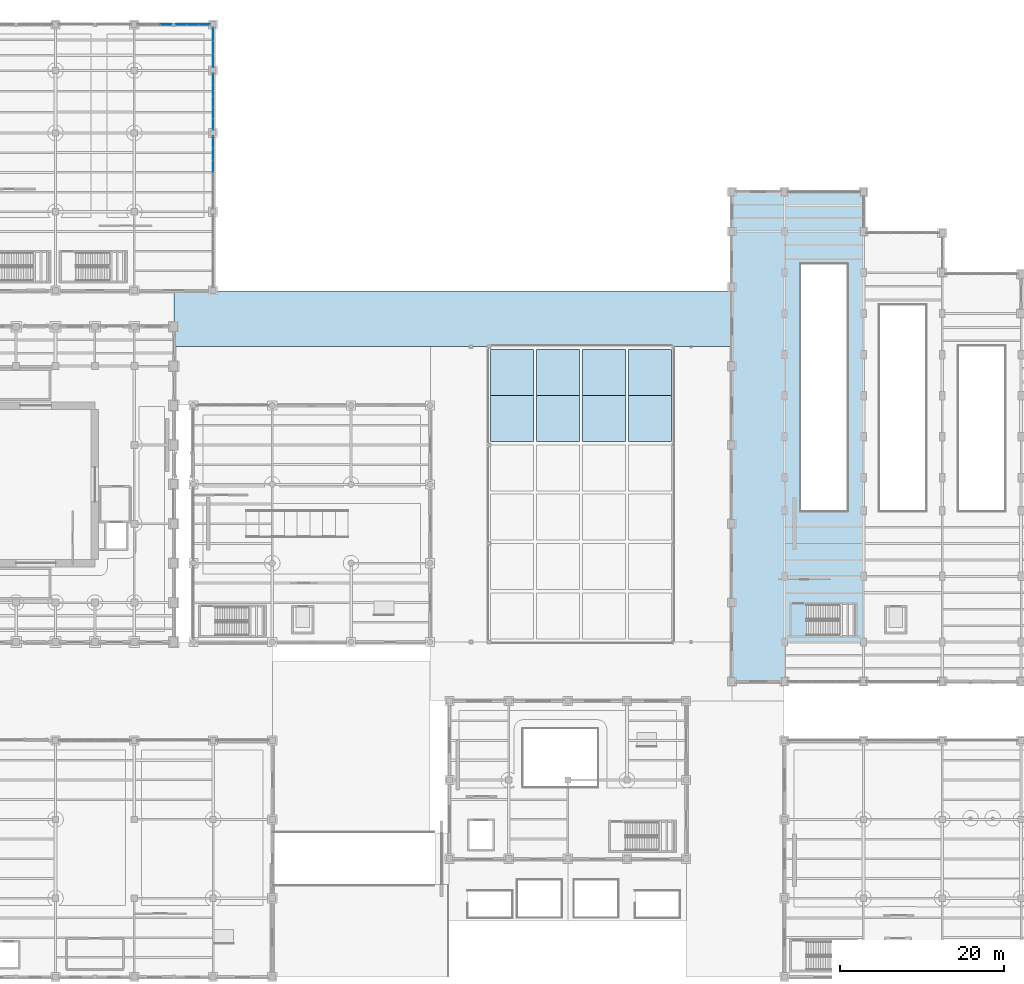
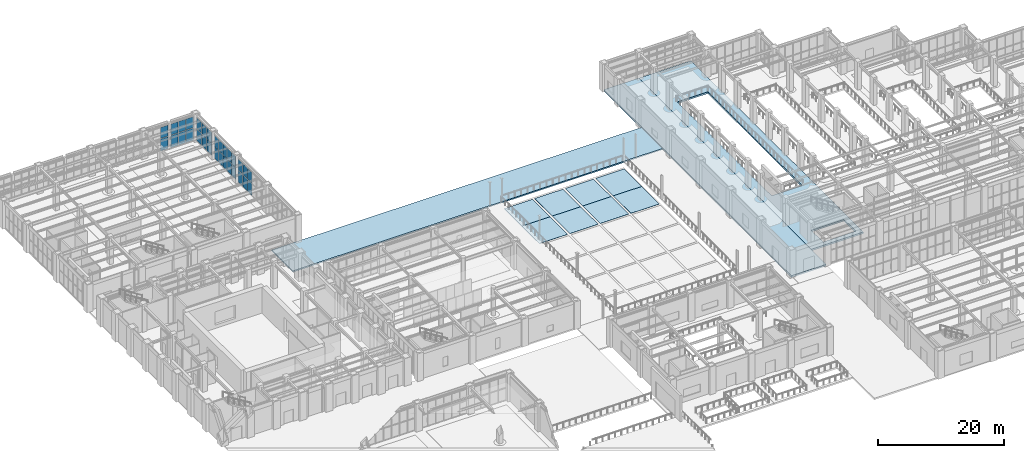
# One storey, part 121 of 164: 38 plates, 3 slabs, 5 elements without a shape of their own.
"""IFC4 building model written with IfcOpenShell, lengths in metres."""

from ifc_helpers import new_model, si_unit, direction, frame, origin, origin_2d, place, context, subcontext, project, spatial, polyline, rectangle, outline, extrude, material, layer, layer_set, type_object, element, aggregate, save


model = new_model("IFC4")

# Units and contexts
model_context = context("Model", 3, precision=1e-05, world=origin(), true_north=direction((0.0, 1.0)))
body_context = subcontext(model_context, "Body", "Model", "MODEL_VIEW")
ifc_project = project(units=[si_unit("LENGTHUNIT", "METRE"), si_unit("AREAUNIT", "SQUARE_METRE"), si_unit("VOLUMEUNIT", "CUBIC_METRE"), si_unit("PLANEANGLEUNIT", "RADIAN"), si_unit("MASSUNIT", "GRAM", prefix="KILO")], contexts=[model_context])

# Site, building, storey
site_placement = place(None, origin())
site = spatial("IfcSite", under=ifc_project, at=site_placement, CompositionType="ELEMENT")
building_placement = place(site_placement, origin())
building = spatial("IfcBuilding", under=site, at=building_placement, Name="Mavantir Sound Aquarium", CompositionType="ELEMENT")
storey_placement = place(building_placement, origin())
storey = spatial("IfcBuildingStorey", under=building, at=storey_placement, Name="L00", CompositionType="ELEMENT", Elevation=0.0)

# Curtain wall, plates
ifc_material_1 = material(Name="Anodised Marine Aluminium and Low-E Glass", Category="aluminium")
curtain_wall_type_1 = type_object("IfcCurtainWallType", Name="CW-T09", PredefinedType="USERDEFINED", material=ifc_material_1)
curtain_wall_1_placement = place(storey_placement, origin())
curtain_wall_1 = element("IfcCurtainWall", 1, at=curtain_wall_1_placement, inside=storey, type_object=curtain_wall_type_1, Name="L00 unitised curtain wall CW-09 33", ObjectType="UNITISED GLAZING", PredefinedType="USERDEFINED")
ifc_material_2 = material(Name="Solar-Control Laminated Low-E Glass", Category="glass")
ifc_layer_1 = layer(ifc_material_2, 0.028076171875, Name="Solar-Control Laminated Low-E Glass")
ifc_layer_set_1 = layer_set([ifc_layer_1], Name="Solar-Control Laminated Low-E Glass")
plate_type_1 = type_object("IfcPlateType", Name="CW-PNL-28", PredefinedType="CURTAIN_PANEL", material=ifc_layer_set_1)
plate_1_placement = place(storey_placement, frame((38.39990234375, 103.866455078125, 0.10302734375), z_axis=(0.0, 0.0, 1.0), x_axis=(0.0, 1.0, 0.0)))
plate_1 = element("IfcPlate", 2, at=plate_1_placement, type_object=plate_type_1, Name="CW-L00-033 glazed curtain panel 1.1", PredefinedType="CURTAIN_PANEL", context=body_context, shape_type="SweptSolid", body=[
    extrude(rectangle(XDim=1.31884765625, YDim=0.028076171875, at=origin_2d()), origin(), (0.0, 0.0, 1.0), 2.2666015625),
])
plate_2_placement = place(storey_placement, frame((38.39990234375, 103.866455078125, 2.46533203125), z_axis=(0.0, 0.0, 1.0), x_axis=(0.0, 1.0, 0.0)))
plate_2 = element("IfcPlate", 3, at=plate_2_placement, type_object=plate_type_1, Name="CW-L00-033 glazed curtain panel 1.2", PredefinedType="CURTAIN_PANEL", context=body_context, shape_type="SweptSolid", body=[
    extrude(rectangle(XDim=1.31884765625, YDim=0.028076171875, at=origin_2d()), origin(), (0.0, 0.0, 1.0), 2.08056640625),
])
plate_3_placement = place(storey_placement, frame((38.39990234375, 105.233154296875, 0.10302734375), z_axis=(0.0, 0.0, 1.0), x_axis=(0.0, 1.0, 0.0)))
plate_3 = element("IfcPlate", 4, at=plate_3_placement, type_object=plate_type_1, Name="CW-L00-033 glazed curtain panel 2.1", PredefinedType="CURTAIN_PANEL", context=body_context, shape_type="SweptSolid", body=[
    extrude(rectangle(XDim=1.31884765625, YDim=0.028076171875, at=origin_2d()), origin(), (0.0, 0.0, 1.0), 2.2666015625),
])
plate_4_placement = place(storey_placement, frame((38.39990234375, 105.233154296875, 2.46533203125), z_axis=(0.0, 0.0, 1.0), x_axis=(0.0, 1.0, 0.0)))
plate_4 = element("IfcPlate", 5, at=plate_4_placement, type_object=plate_type_1, Name="CW-L00-033 glazed curtain panel 2.2", PredefinedType="CURTAIN_PANEL", context=body_context, shape_type="SweptSolid", body=[
    extrude(rectangle(XDim=1.31884765625, YDim=0.028076171875, at=origin_2d()), origin(), (0.0, 0.0, 1.0), 2.08056640625),
])
plate_5_placement = place(storey_placement, frame((38.39990234375, 106.60009765625, 0.10302734375), z_axis=(0.0, 0.0, 1.0), x_axis=(0.0, 1.0, 0.0)))
plate_5 = element("IfcPlate", 6, at=plate_5_placement, type_object=plate_type_1, Name="CW-L00-033 glazed curtain panel 3.1", PredefinedType="CURTAIN_PANEL", context=body_context, shape_type="SweptSolid", body=[
    extrude(rectangle(XDim=1.31884765625, YDim=0.028076171875, at=origin_2d()), origin(), (0.0, 0.0, 1.0), 2.2666015625),
])
plate_6_placement = place(storey_placement, frame((38.39990234375, 106.60009765625, 2.46533203125), z_axis=(0.0, 0.0, 1.0), x_axis=(0.0, 1.0, 0.0)))
plate_6 = element("IfcPlate", 7, at=plate_6_placement, type_object=plate_type_1, Name="CW-L00-033 glazed curtain panel 3.2", PredefinedType="CURTAIN_PANEL", context=body_context, shape_type="SweptSolid", body=[
    extrude(rectangle(XDim=1.31884765625, YDim=0.028076171875, at=origin_2d()), origin(), (0.0, 0.0, 1.0), 2.08056640625),
])
plate_7_placement = place(storey_placement, frame((38.39990234375, 107.966796875, 0.10302734375), z_axis=(0.0, 0.0, 1.0), x_axis=(0.0, 1.0, 0.0)))
plate_7 = element("IfcPlate", 8, at=plate_7_placement, type_object=plate_type_1, Name="CW-L00-033 glazed curtain panel 4.1", PredefinedType="CURTAIN_PANEL", context=body_context, shape_type="SweptSolid", body=[
    extrude(rectangle(XDim=1.31884765625, YDim=0.028076171875, at=origin_2d()), origin(), (0.0, 0.0, 1.0), 2.2666015625),
])
plate_8_placement = place(storey_placement, frame((38.39990234375, 107.966796875, 2.46533203125), z_axis=(0.0, 0.0, 1.0), x_axis=(0.0, 1.0, 0.0)))
plate_8 = element("IfcPlate", 9, at=plate_8_placement, type_object=plate_type_1, Name="CW-L00-033 glazed curtain panel 4.2", PredefinedType="CURTAIN_PANEL", context=body_context, shape_type="SweptSolid", body=[
    extrude(rectangle(XDim=1.31884765625, YDim=0.028076171875, at=origin_2d()), origin(), (0.0, 0.0, 1.0), 2.08056640625),
])
plate_9_placement = place(storey_placement, frame((38.39990234375, 109.33349609375, 0.10302734375), z_axis=(0.0, 0.0, 1.0), x_axis=(0.0, 1.0, 0.0)))
plate_9 = element("IfcPlate", 10, at=plate_9_placement, type_object=plate_type_1, Name="CW-L00-033 glazed curtain panel 5.1", PredefinedType="CURTAIN_PANEL", context=body_context, shape_type="SweptSolid", body=[
    extrude(rectangle(XDim=1.31884765625, YDim=0.028076171875, at=origin_2d()), origin(), (0.0, 0.0, 1.0), 2.2666015625),
])
plate_10_placement = place(storey_placement, frame((38.39990234375, 109.33349609375, 2.46533203125), z_axis=(0.0, 0.0, 1.0), x_axis=(0.0, 1.0, 0.0)))
plate_10 = element("IfcPlate", 11, at=plate_10_placement, type_object=plate_type_1, Name="CW-L00-033 glazed curtain panel 5.2", PredefinedType="CURTAIN_PANEL", context=body_context, shape_type="SweptSolid", body=[
    extrude(rectangle(XDim=1.31884765625, YDim=0.028076171875, at=origin_2d()), origin(), (0.0, 0.0, 1.0), 2.08056640625),
])
aggregate(curtain_wall_1, [plate_1, plate_2, plate_3, plate_4, plate_5, plate_6, plate_7, plate_8, plate_9, plate_10])

curtain_wall_type_2 = type_object("IfcCurtainWallType", Name="CW-T11", PredefinedType="USERDEFINED", material=ifc_material_1)
curtain_wall_2_placement = place(storey_placement, origin())
curtain_wall_2 = element("IfcCurtainWall", 12, at=curtain_wall_2_placement, inside=storey, type_object=curtain_wall_type_2, Name="L00 unitised curtain wall CW-11 35", ObjectType="UNITISED GLAZING", PredefinedType="USERDEFINED")
plate_11_placement = place(storey_placement, frame((37.319580078125, 116.0, 0.10302734375), z_axis=(0.0, 0.0, 1.0), x_axis=(-1.0, 0.0, 0.0)))
plate_11 = element("IfcPlate", 13, at=plate_11_placement, type_object=plate_type_1, Name="CW-L00-035 glazed curtain panel 1.1", PredefinedType="CURTAIN_PANEL", context=body_context, shape_type="SweptSolid", body=[
    extrude(rectangle(XDim=1.3466796875, YDim=0.028076171875, at=origin_2d()), origin(), (0.0, 0.0, 1.0), 2.3232421875),
])
plate_12_placement = place(storey_placement, frame((37.319580078125, 116.0, 2.522216796875), z_axis=(0.0, 0.0, 1.0), x_axis=(-1.0, 0.0, 0.0)))
plate_12 = element("IfcPlate", 14, at=plate_12_placement, type_object=plate_type_1, Name="CW-L00-035 glazed curtain panel 1.2", PredefinedType="CURTAIN_PANEL", context=body_context, shape_type="SweptSolid", body=[
    extrude(rectangle(XDim=1.3466796875, YDim=0.028076171875, at=origin_2d()), origin(), (0.0, 0.0, 1.0), 2.1328125),
])
plate_13_placement = place(storey_placement, frame((35.925048828125, 116.0, 0.10302734375), z_axis=(0.0, 0.0, 1.0), x_axis=(-1.0, 0.0, 0.0)))
plate_13 = element("IfcPlate", 15, at=plate_13_placement, type_object=plate_type_1, Name="CW-L00-035 glazed curtain panel 2.1", PredefinedType="CURTAIN_PANEL", context=body_context, shape_type="SweptSolid", body=[
    extrude(rectangle(XDim=1.3466796875, YDim=0.028076171875, at=origin_2d()), origin(), (0.0, 0.0, 1.0), 2.3232421875),
])
plate_14_placement = place(storey_placement, frame((35.925048828125, 116.0, 2.522216796875), z_axis=(0.0, 0.0, 1.0), x_axis=(-1.0, 0.0, 0.0)))
plate_14 = element("IfcPlate", 16, at=plate_14_placement, type_object=plate_type_1, Name="CW-L00-035 glazed curtain panel 2.2", PredefinedType="CURTAIN_PANEL", context=body_context, shape_type="SweptSolid", body=[
    extrude(rectangle(XDim=1.3466796875, YDim=0.028076171875, at=origin_2d()), origin(), (0.0, 0.0, 1.0), 2.1328125),
])
plate_15_placement = place(storey_placement, frame((34.5302734375, 116.0, 0.10302734375), z_axis=(0.0, 0.0, 1.0), x_axis=(-1.0, 0.0, 0.0)))
plate_15 = element("IfcPlate", 17, at=plate_15_placement, type_object=plate_type_1, Name="CW-L00-035 glazed curtain panel 3.1", PredefinedType="CURTAIN_PANEL", context=body_context, shape_type="SweptSolid", body=[
    extrude(rectangle(XDim=1.3466796875, YDim=0.028076171875, at=origin_2d()), origin(), (0.0, 0.0, 1.0), 2.3232421875),
])
plate_16_placement = place(storey_placement, frame((34.5302734375, 116.0, 2.522216796875), z_axis=(0.0, 0.0, 1.0), x_axis=(-1.0, 0.0, 0.0)))
plate_16 = element("IfcPlate", 18, at=plate_16_placement, type_object=plate_type_1, Name="CW-L00-035 glazed curtain panel 3.2", PredefinedType="CURTAIN_PANEL", context=body_context, shape_type="SweptSolid", body=[
    extrude(rectangle(XDim=1.3466796875, YDim=0.028076171875, at=origin_2d()), origin(), (0.0, 0.0, 1.0), 2.1328125),
])
aggregate(curtain_wall_2, [plate_11, plate_12, plate_13, plate_14, plate_15, plate_16])

curtain_wall_type_3 = type_object("IfcCurtainWallType", Name="CW-T08", PredefinedType="USERDEFINED", material=ifc_material_1)
curtain_wall_3_placement = place(storey_placement, origin())
curtain_wall_3 = element("IfcCurtainWall", 19, at=curtain_wall_3_placement, inside=storey, type_object=curtain_wall_type_3, Name="L00 unitised curtain wall CW-08 32", ObjectType="UNITISED GLAZING", PredefinedType="USERDEFINED")
ifc_layer_2 = layer(ifc_material_2, 0.031982421875, Name="Solar-Control Laminated Low-E Glass")
ifc_layer_set_2 = layer_set([ifc_layer_2], Name="Solar-Control Laminated Low-E Glass")
plate_type_2 = type_object("IfcPlateType", Name="CW-PNL-32", PredefinedType="CURTAIN_PANEL", material=ifc_layer_set_2)
plate_17_placement = place(storey_placement, frame((38.39990234375, 98.736083984375, 0.10302734375), z_axis=(0.0, 0.0, 1.0), x_axis=(0.0, 1.0, 0.0)))
plate_17 = element("IfcPlate", 20, at=plate_17_placement, type_object=plate_type_2, Name="CW-L00-032 glazed curtain panel 4.1", PredefinedType="CURTAIN_PANEL", context=body_context, shape_type="SweptSolid", body=[
    extrude(rectangle(XDim=1.42431640625, YDim=0.031982421875, at=origin_2d()), origin(), (0.0, 0.0, 1.0), 2.2666015625),
])
plate_18_placement = place(storey_placement, frame((38.39990234375, 98.736083984375, 2.46533203125), z_axis=(0.0, 0.0, 1.0), x_axis=(0.0, 1.0, 0.0)))
plate_18 = element("IfcPlate", 21, at=plate_18_placement, type_object=plate_type_2, Name="CW-L00-032 glazed curtain panel 4.2", PredefinedType="CURTAIN_PANEL", context=body_context, shape_type="SweptSolid", body=[
    extrude(rectangle(XDim=1.42431640625, YDim=0.031982421875, at=origin_2d()), origin(), (0.0, 0.0, 1.0), 2.08056640625),
])
plate_19_placement = place(storey_placement, frame((38.39990234375, 100.20849609375, 0.10302734375), z_axis=(0.0, 0.0, 1.0), x_axis=(0.0, 1.0, 0.0)))
plate_19 = element("IfcPlate", 22, at=plate_19_placement, type_object=plate_type_2, Name="CW-L00-032 glazed curtain panel 5.1", PredefinedType="CURTAIN_PANEL", context=body_context, shape_type="SweptSolid", body=[
    extrude(rectangle(XDim=1.42431640625, YDim=0.031982421875, at=origin_2d()), origin(), (0.0, 0.0, 1.0), 2.2666015625),
])
plate_20_placement = place(storey_placement, frame((38.39990234375, 100.20849609375, 2.46533203125), z_axis=(0.0, 0.0, 1.0), x_axis=(0.0, 1.0, 0.0)))
plate_20 = element("IfcPlate", 23, at=plate_20_placement, type_object=plate_type_2, Name="CW-L00-032 glazed curtain panel 5.2", PredefinedType="CURTAIN_PANEL", context=body_context, shape_type="SweptSolid", body=[
    extrude(rectangle(XDim=1.42431640625, YDim=0.031982421875, at=origin_2d()), origin(), (0.0, 0.0, 1.0), 2.08056640625),
])
plate_21_placement = place(storey_placement, frame((38.39990234375, 101.680908203125, 0.10302734375), z_axis=(0.0, 0.0, 1.0), x_axis=(0.0, 1.0, 0.0)))
plate_21 = element("IfcPlate", 24, at=plate_21_placement, type_object=plate_type_2, Name="CW-L00-032 glazed curtain panel 6.1", PredefinedType="CURTAIN_PANEL", context=body_context, shape_type="SweptSolid", body=[
    extrude(rectangle(XDim=1.42431640625, YDim=0.031982421875, at=origin_2d()), origin(), (0.0, 0.0, 1.0), 2.2666015625),
])
plate_22_placement = place(storey_placement, frame((38.39990234375, 101.680908203125, 2.46533203125), z_axis=(0.0, 0.0, 1.0), x_axis=(0.0, 1.0, 0.0)))
plate_22 = element("IfcPlate", 25, at=plate_22_placement, type_object=plate_type_2, Name="CW-L00-032 glazed curtain panel 6.2", PredefinedType="CURTAIN_PANEL", context=body_context, shape_type="SweptSolid", body=[
    extrude(rectangle(XDim=1.42431640625, YDim=0.031982421875, at=origin_2d()), origin(), (0.0, 0.0, 1.0), 2.08056640625),
])
aggregate(curtain_wall_3, [plate_17, plate_18, plate_19, plate_20, plate_21, plate_22])

curtain_wall_type_4 = type_object("IfcCurtainWallType", Name="CW-T10", PredefinedType="USERDEFINED", material=ifc_material_1)
curtain_wall_4_placement = place(storey_placement, origin())
curtain_wall_4 = element("IfcCurtainWall", 26, at=curtain_wall_4_placement, inside=storey, type_object=curtain_wall_type_4, Name="L00 unitised curtain wall CW-10 34", ObjectType="UNITISED GLAZING", PredefinedType="USERDEFINED")
plate_23_placement = place(storey_placement, frame((38.39990234375, 111.588623046875, 0.10302734375), z_axis=(0.0, 0.0, 1.0), x_axis=(0.0, 1.0, 0.0)))
plate_23 = element("IfcPlate", 27, at=plate_23_placement, type_object=plate_type_2, Name="CW-L00-034 glazed curtain panel 1.1", PredefinedType="CURTAIN_PANEL", context=body_context, shape_type="SweptSolid", body=[
    extrude(rectangle(XDim=1.563232421875, YDim=0.031982421875, at=origin_2d()), origin(), (0.0, 0.0, 1.0), 2.2666015625),
])
plate_24_placement = place(storey_placement, frame((38.39990234375, 111.588623046875, 2.46533203125), z_axis=(0.0, 0.0, 1.0), x_axis=(0.0, 1.0, 0.0)))
plate_24 = element("IfcPlate", 28, at=plate_24_placement, type_object=plate_type_2, Name="CW-L00-034 glazed curtain panel 1.2", PredefinedType="CURTAIN_PANEL", context=body_context, shape_type="SweptSolid", body=[
    extrude(rectangle(XDim=1.563232421875, YDim=0.031982421875, at=origin_2d()), origin(), (0.0, 0.0, 1.0), 2.08056640625),
])
plate_25_placement = place(storey_placement, frame((38.39990234375, 113.199951171875, 0.10302734375), z_axis=(0.0, 0.0, 1.0), x_axis=(0.0, 1.0, 0.0)))
plate_25 = element("IfcPlate", 29, at=plate_25_placement, type_object=plate_type_2, Name="CW-L00-034 glazed curtain panel 2.1", PredefinedType="CURTAIN_PANEL", context=body_context, shape_type="SweptSolid", body=[
    extrude(rectangle(XDim=1.563232421875, YDim=0.031982421875, at=origin_2d()), origin(), (0.0, 0.0, 1.0), 2.2666015625),
])
plate_26_placement = place(storey_placement, frame((38.39990234375, 113.199951171875, 2.46533203125), z_axis=(0.0, 0.0, 1.0), x_axis=(0.0, 1.0, 0.0)))
plate_26 = element("IfcPlate", 30, at=plate_26_placement, type_object=plate_type_2, Name="CW-L00-034 glazed curtain panel 2.2", PredefinedType="CURTAIN_PANEL", context=body_context, shape_type="SweptSolid", body=[
    extrude(rectangle(XDim=1.563232421875, YDim=0.031982421875, at=origin_2d()), origin(), (0.0, 0.0, 1.0), 2.08056640625),
])
plate_27_placement = place(storey_placement, frame((38.39990234375, 114.811279296875, 0.10302734375), z_axis=(0.0, 0.0, 1.0), x_axis=(0.0, 1.0, 0.0)))
plate_27 = element("IfcPlate", 31, at=plate_27_placement, type_object=plate_type_2, Name="CW-L00-034 glazed curtain panel 3.1", PredefinedType="CURTAIN_PANEL", context=body_context, shape_type="SweptSolid", body=[
    extrude(rectangle(XDim=1.563232421875, YDim=0.031982421875, at=origin_2d()), origin(), (0.0, 0.0, 1.0), 2.2666015625),
])
plate_28_placement = place(storey_placement, frame((38.39990234375, 114.811279296875, 2.46533203125), z_axis=(0.0, 0.0, 1.0), x_axis=(0.0, 1.0, 0.0)))
plate_28 = element("IfcPlate", 32, at=plate_28_placement, type_object=plate_type_2, Name="CW-L00-034 glazed curtain panel 3.2", PredefinedType="CURTAIN_PANEL", context=body_context, shape_type="SweptSolid", body=[
    extrude(rectangle(XDim=1.563232421875, YDim=0.031982421875, at=origin_2d()), origin(), (0.0, 0.0, 1.0), 2.08056640625),
])
aggregate(curtain_wall_4, [plate_23, plate_24, plate_25, plate_26, plate_27, plate_28])

curtain_wall_type_5 = type_object("IfcCurtainWallType", Name="CW-T12", PredefinedType="USERDEFINED", material=ifc_material_1)
curtain_wall_5_placement = place(storey_placement, origin())
curtain_wall_5 = element("IfcCurtainWall", 33, at=curtain_wall_5_placement, inside=storey, type_object=curtain_wall_type_5, Name="L00 unitised curtain wall CW-12 36", ObjectType="UNITISED GLAZING", PredefinedType="USERDEFINED")
plate_29_placement = place(storey_placement, frame((32.669677734375, 116.0, 0.10302734375), z_axis=(0.0, 0.0, 1.0), x_axis=(-1.0, 0.0, 0.0)))
plate_29 = element("IfcPlate", 34, at=plate_29_placement, type_object=plate_type_2, Name="CW-L00-036 glazed curtain panel 1.1", PredefinedType="CURTAIN_PANEL", context=body_context, shape_type="SweptSolid", body=[
    extrude(rectangle(XDim=1.3466796875, YDim=0.031982421875, at=origin_2d()), origin(), (0.0, 0.0, 1.0), 2.3232421875),
])
plate_30_placement = place(storey_placement, frame((32.669677734375, 116.0, 2.522216796875), z_axis=(0.0, 0.0, 1.0), x_axis=(-1.0, 0.0, 0.0)))
plate_30 = element("IfcPlate", 35, at=plate_30_placement, type_object=plate_type_2, Name="CW-L00-036 glazed curtain panel 1.2", PredefinedType="CURTAIN_PANEL", context=body_context, shape_type="SweptSolid", body=[
    extrude(rectangle(XDim=1.3466796875, YDim=0.031982421875, at=origin_2d()), origin(), (0.0, 0.0, 1.0), 2.1328125),
])
aggregate(curtain_wall_5, [plate_29, plate_30])

# Plates
ifc_material_3 = material(Name="Cerulean Glazed Tidal Basin Weir Plate", Category="glass")
ifc_layer_3 = layer(ifc_material_3, 0.0400390625, Name="Cerulean Glazed Tidal Basin Weir Plate")
ifc_layer_set_3 = layer_set([ifc_layer_3], Name="Cerulean Glazed Tidal Basin Weir Plate")
plate_type_3 = type_object("IfcPlateType", Name="PLT-WATER-25", PredefinedType="SHEET", material=ifc_layer_set_3)
for number, where, z_axis, x_axis, name in (
    (36, (74.800048828125, 68.0, -1.2099609375), (0.0, 0.0, 1.0), (1.0, 0.0, 0.0), "Gulf of Paria tidal basin weir plate 5"),
    (37, (74.800048828125, 73.60009765625, -1.2099609375), (0.0, 0.0, 1.0), (1.0, 0.0, 0.0), "Gulf of Paria tidal basin weir plate 6"),
    (38, (80.39990234375, 68.0, -1.2099609375), (0.0, 0.0, 1.0), (1.0, 0.0, 0.0), "Gulf of Paria tidal basin weir plate 11"),
    (39, (80.39990234375, 73.60009765625, -1.2099609375), (0.0, 0.0, 1.0), (1.0, 0.0, 0.0), "Gulf of Paria tidal basin weir plate 12"),
    (40, (86.0, 68.0, -1.2099609375), (0.0, 0.0, 1.0), (1.0, 0.0, 0.0), "Gulf of Paria tidal basin weir plate 17"),
    (41, (86.0, 73.60009765625, -1.2099609375), (0.0, 0.0, 1.0), (1.0, 0.0, 0.0), "Gulf of Paria tidal basin weir plate 18"),
    (42, (91.60009765625, 68.0, -1.2099609375), (0.0, 0.0, 1.0), (1.0, 0.0, 0.0), "Gulf of Paria tidal basin weir plate 23"),
    (43, (91.60009765625, 73.60009765625, -1.2099609375), (0.0, 0.0, 1.0), (1.0, 0.0, 0.0), "Gulf of Paria tidal basin weir plate 24"),
):
    element("IfcPlate", number, at=place(storey_placement, frame(where, z_axis=z_axis, x_axis=x_axis)), inside=storey, type_object=plate_type_3, Name=name, PredefinedType="SHEET", context=body_context, shape_type="SweptSolid", body=[
        extrude(rectangle(XDim=5.199951171875, YDim=5.60009765625, at=origin_2d()), origin(), (0.0, 0.0, 1.0), 0.0400390625),
    ])

# Slabs
ifc_material_4 = material(Name="Concrete C40/50", Category="concrete")
ifc_layer_4 = layer(ifc_material_4, 0.25, Name="Concrete C40/50")
ifc_layer_set_4 = layer_set([ifc_layer_4], Name="Concrete C40/50")
slab_type_1 = type_object("IfcSlabType", Name="SLB-ES-02", PredefinedType="FLOOR", material=ifc_layer_set_4)
slab_1_placement = place(storey_placement, frame((0.0, 0.0, -0.25)))
element("IfcSlab", 44, at=slab_1_placement, inside=storey, type_object=slab_type_1, Name="L00 outdoor apron slab ES-02", PredefinedType="FLOOR", context=body_context, shape_type="SweptSolid", body=[
    extrude(outline(polyline([(33.64990234375, 76.800048828125), (101.550048828125, 76.800048828125), (101.550048828125, 83.550048828125), (33.64990234375, 83.550048828125), (33.64990234375, 76.800048828125)])), origin(), (0.0, 0.0, 1.0), 0.25),
])
ifc_layer_5 = layer(ifc_material_4, 0.330078125, Name="Concrete C40/50")
ifc_layer_set_5 = layer_set([ifc_layer_5], Name="Concrete C40/50")
slab_type_2 = type_object("IfcSlabType", Name="SLB-FS-05", PredefinedType="FLOOR", material=ifc_layer_set_5)
slab_2_placement = place(storey_placement, frame((0.0, 0.0, -0.330078125)))
element("IfcSlab", 45, at=slab_2_placement, inside=storey, type_object=slab_type_2, Name="L00 structural slab FS-05 (V4)", PredefinedType="FLOOR", context=body_context, shape_type="SweptSolid", body=[
    extrude(outline(polyline([(108.0, 36.0), (108.0, 95.60009765625), (101.60009765625, 95.60009765625), (101.60009765625, 36.0), (108.0, 36.0)])), origin(), (0.0, 0.0, 1.0), 0.330078125),
])
slab_3_placement = place(storey_placement, frame((0.0, 0.0, -0.330078125)))
element("IfcSlab", 46, at=slab_3_placement, inside=storey, type_object=slab_type_2, Name="L00 structural slab FS-05 (V4)", PredefinedType="FLOOR", context=body_context, shape_type="SweptSolid", body=[
    extrude(outline(polyline([(117.60009765625, 40.800048828125), (117.60009765625, 95.60009765625), (108.0, 95.60009765625), (108.0, 40.800048828125), (117.60009765625, 40.800048828125)]), holes=[polyline([(110.0, 56.800048828125), (115.60009765625, 56.800048828125), (115.60009765625, 86.800048828125), (110.0, 86.800048828125), (110.0, 56.800048828125)]), polyline([(110.64990234375, 41.60009765625), (116.64990234375, 41.60009765625), (116.64990234375, 45.35009765625), (110.64990234375, 45.35009765625), (110.64990234375, 41.60009765625)])]), origin(), (0.0, 0.0, 1.0), 0.330078125),
])

save(model, "model.ifc")
